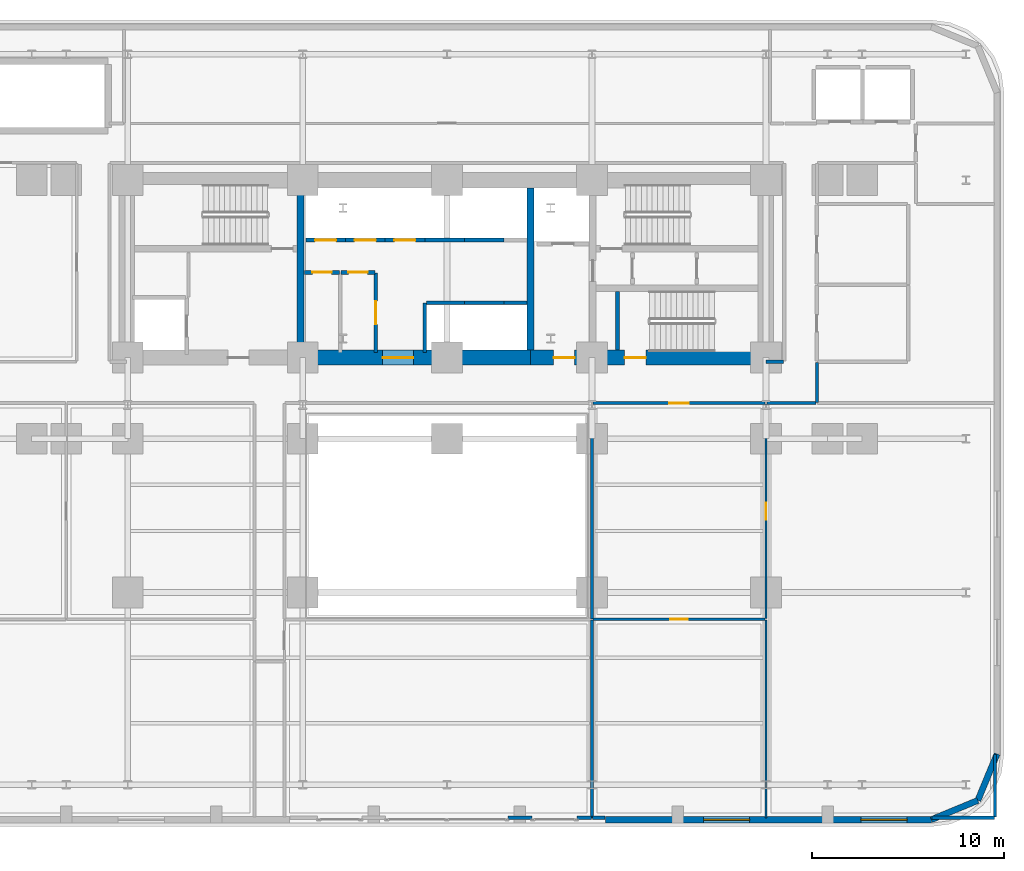
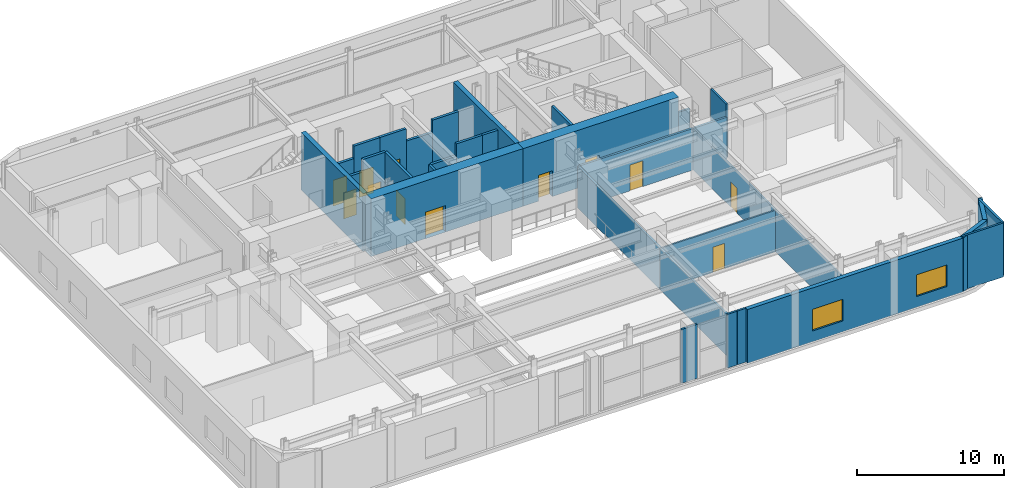
# One storey, part 7 of 15: 34 walls, 12 doors, 2 windows, 14 openings.
"""IFC4 building model written with IfcOpenShell, lengths in metres."""

import ifcopenshell
import ifcopenshell.guid

model = None  # the IFC model being written
_history = None  # IfcOwnerHistory: only IFC2X3 demands one
_inside = {}  # id of a spatial element -> (the spatial element, [elements in it])
_under = {}  # id of a project, library or spatial element -> (it, [spatial elements below it])
_declared = {}  # id of a project -> (the project, [libraries it declares])
_typed = {}  # id of a type object -> (the type object, [elements of that type])
_made_of = {}  # id of a material, layer set ... -> (it, [elements and type objects made of it])


def new_model(schema):
    """Start an empty IFC model of exactly this schema.

    Asked for "IFC4X3", IfcOpenShell would pick the latest addendum, in which some entities
    have other attributes; the version numbers below select the first issue.
    IFC2X3 requires an IfcOwnerHistory on every rooted entity: one is made here for all.
    """
    global model, _history
    if schema == "IFC4X3":
        model = ifcopenshell.file(schema_version=(4, 3, 0, 0))
    else:
        model = ifcopenshell.file(schema=schema)
    _inside.clear()
    _under.clear()
    _declared.clear()
    _typed.clear()
    _made_of.clear()
    _history = None
    if model.schema == "IFC2X3":
        org = make("IfcOrganization", Name="unknown")
        user = make(
            "IfcPersonAndOrganization",
            ThePerson=make("IfcPerson", FamilyName="unknown"),
            TheOrganization=org,
        )
        app = make(
            "IfcApplication",
            ApplicationDeveloper=org,
            Version="unknown",
            ApplicationFullName="unknown",
            ApplicationIdentifier="unknown",
        )
        _history = make(
            "IfcOwnerHistory",
            OwningUser=user,
            OwningApplication=app,
            ChangeAction="ADDED",
            CreationDate=0,
        )
    return model


def make(cls, **values):
    """One entity of the class cls with the attributes given. An attribute that is None is left unset."""
    return model.create_entity(
        cls, **{name: value for name, value in values.items() if value is not None}
    )


def rooted(cls, **values):
    """An entity with a GlobalId (a new one), such as an element, a storey or a relation."""
    return make(cls, GlobalId=ifcopenshell.guid.new(), OwnerHistory=_history, **values)


def si_unit(unit_type, name, prefix=None):
    """IfcSIUnit, for example si_unit("LENGTHUNIT", "METRE", prefix="MILLI")."""
    return make("IfcSIUnit", UnitType=unit_type, Prefix=prefix, Name=name)


def assignment(units):
    """IfcUnitAssignment: the units of a project."""
    return None if units is None else make("IfcUnitAssignment", Units=units)


def point(xyz):
    """IfcCartesianPoint."""
    return None if xyz is None else make("IfcCartesianPoint", Coordinates=xyz)


def direction(xyz):
    """IfcDirection."""
    return None if xyz is None else make("IfcDirection", DirectionRatios=xyz)


def frame(location, z_axis=None, x_axis=None):
    """IfcAxis2Placement3D, a coordinate frame: its origin and axes. An axis left out is left unset."""
    return make(
        "IfcAxis2Placement3D",
        Location=point(location),
        Axis=direction(z_axis),
        RefDirection=direction(x_axis),
    )


def frame_2d(location, x_axis=None):
    """IfcAxis2Placement2D, a coordinate frame in the plane: its origin and x axis."""
    return make(
        "IfcAxis2Placement2D", Location=point(location), RefDirection=direction(x_axis)
    )


def origin():
    """The frame at (0, 0, 0) with its axes left unset."""
    return frame((0.0, 0.0, 0.0))


def place(relative_to, where):
    """IfcLocalPlacement: puts the frame where relative to a parent placement (None: the world)."""
    return make(
        "IfcLocalPlacement", PlacementRelTo=relative_to, RelativePlacement=where
    )


def context(
    kind, dimensions, precision=None, world=None, true_north=None, identifier=None
):
    """IfcGeometricRepresentationContext, for example the 3D "Model" context."""
    return make(
        "IfcGeometricRepresentationContext",
        ContextIdentifier=identifier,
        ContextType=kind,
        CoordinateSpaceDimension=dimensions,
        Precision=precision,
        WorldCoordinateSystem=world,
        TrueNorth=true_north,
    )


def subcontext(parent, identifier, kind, view, scale=None):
    """IfcGeometricRepresentationSubContext, for example "Body" below "Model"."""
    return make(
        "IfcGeometricRepresentationSubContext",
        ContextIdentifier=identifier,
        ContextType=kind,
        ParentContext=parent,
        TargetScale=scale,
        TargetView=view,
    )


def project(units=None, contexts=None):
    """IfcProject with its units and contexts."""
    return rooted(
        "IfcProject",
        Name="project",
        RepresentationContexts=contexts,
        UnitsInContext=assignment(units),
    )


def spatial(cls, under=None, at=None, **own):
    """A site, building, storey or space (cls), placed at a placement, below another one or the project."""
    s = rooted(cls, ObjectPlacement=at, **own)
    if under is not None:
        _under.setdefault(under.id(), (under, []))[1].append(s)
    return s


def profile(cls, at=None, kind="AREA", **sizes):
    """A parametric profile (cls). Its sizes go by their IFC names, for example OverallWidth=200.0."""
    return make(cls, ProfileType=kind, Position=at, **sizes)


def rectangle(**sizes):
    """IfcRectangleProfileDef."""
    return profile("IfcRectangleProfileDef", **sizes)


def extrude(swept, where, along, depth):
    """IfcExtrudedAreaSolid: the profile swept, set in the frame where, extruded along a direction by depth."""
    return make(
        "IfcExtrudedAreaSolid",
        SweptArea=swept,
        Position=where,
        ExtrudedDirection=direction(along),
        Depth=depth,
    )


def shape(context_of_items, identifier, shape_type, items):
    """IfcShapeRepresentation: the items that make up one representation, for example the "Body"."""
    return make(
        "IfcShapeRepresentation",
        ContextOfItems=context_of_items,
        RepresentationIdentifier=identifier,
        RepresentationType=shape_type,
        Items=items,
    )


def material(Name=None, Category=None):
    """IfcMaterial."""
    return make("IfcMaterial", Name=Name, Category=Category)


def layer(
    of_material, thickness, ventilated=None, Name=None, Category=None, Priority=None
):
    """IfcMaterialLayer: one layer of a wall or slab, of a material (None: an air gap)."""
    return make(
        "IfcMaterialLayer",
        Material=of_material,
        LayerThickness=thickness,
        IsVentilated=ventilated,
        Name=Name,
        Category=Category,
        Priority=Priority,
    )


def layer_set(layers, Name=None):
    """IfcMaterialLayerSet."""
    return make("IfcMaterialLayerSet", MaterialLayers=layers, LayerSetName=Name)


def made_of(thing, what):
    """Note that an element or type object is made of a material, layer set ...; save() writes the relation."""
    if what is not None:
        _made_of.setdefault(what.id(), (what, []))[1].append(thing)
    return thing


def type_object(cls, material=None, **own):
    """A type object (cls), such as IfcWallType, which elements share."""
    return made_of(rooted(cls, **own), material)


def element(
    cls,
    number,
    at=None,
    inside=None,
    cuts=None,
    type_object=None,
    material=None,
    context=None,
    identifier="Body",
    shape_type=None,
    held_by="IfcProductDefinitionShape",
    body=None,
    shapes=None,
    **own,
):
    """One element of the class cls, such as IfcWall. Its Tag is "e" and its number.

    at: its placement. inside: the storey or other place that contains it. cuts: it is an
    opening in that element (IfcRelVoidsElement). A single representation is given by context,
    identifier, shape_type and body (its items); several are given by shapes. held_by: the class
    of the entity that holds the representations. save() writes the other relations.
    """
    e = rooted(cls, Tag="e%d" % number, ObjectPlacement=at, **own)
    if body is not None:
        shapes = [shape(context, identifier, shape_type, body)]
    if shapes is not None:
        e.Representation = make(held_by, Representations=shapes)
    if inside is not None:
        _inside.setdefault(inside.id(), (inside, []))[1].append(e)
    if cuts is not None:
        rooted(
            "IfcRelVoidsElement", RelatingBuildingElement=cuts, RelatedOpeningElement=e
        )
    if type_object is not None:
        _typed.setdefault(type_object.id(), (type_object, []))[1].append(e)
    return made_of(e, material)


def fill(opening, filler):
    """IfcRelFillsElement: the door or window that sits in an opening."""
    return rooted(
        "IfcRelFillsElement",
        RelatingOpeningElement=opening,
        RelatedBuildingElement=filler,
    )


def aggregate(whole, parts):
    """IfcRelAggregates: a whole, such as a stair, and the parts it consists of."""
    return rooted("IfcRelAggregates", RelatingObject=whole, RelatedObjects=parts)


def save(model, path):
    """Write the relations noted so far, then the file.

    IfcRelAggregates (storeys below a building ...), IfcRelContainedInSpatialStructure (elements
    in a storey), IfcRelDefinesByType, IfcRelAssociatesMaterial and IfcRelDeclares: one each for
    every whole, place, type object, material and project.
    """
    for whole, parts in _under.values():
        aggregate(whole, parts)
    for where, things in _inside.values():
        rooted(
            "IfcRelContainedInSpatialStructure",
            RelatedElements=things,
            RelatingStructure=where,
        )
    for kind, things in _typed.values():
        rooted("IfcRelDefinesByType", RelatedObjects=things, RelatingType=kind)
    for what, things in _made_of.values():
        rooted("IfcRelAssociatesMaterial", RelatedObjects=things, RelatingMaterial=what)
    for by, libraries in _declared.values():
        rooted("IfcRelDeclares", RelatingContext=by, RelatedDefinitions=libraries)
    model.write(path)


model = new_model("IFC4")

# Units and contexts
model_context = context("Model", 3, precision=1e-05, world=origin(), true_north=direction((0.0, 1.0)))
body_context = subcontext(model_context, "Body", "Model", "MODEL_VIEW")
ifc_project = project(units=[si_unit("LENGTHUNIT", "METRE"), si_unit("AREAUNIT", "SQUARE_METRE"), si_unit("VOLUMEUNIT", "CUBIC_METRE"), si_unit("PLANEANGLEUNIT", "RADIAN"), si_unit("MASSUNIT", "GRAM", prefix="KILO")], contexts=[model_context])

# Site, building, storey
site_placement = place(None, origin())
site = spatial("IfcSite", under=ifc_project, at=site_placement, CompositionType="ELEMENT")
building_placement = place(site_placement, origin())
building = spatial("IfcBuilding", under=site, at=building_placement, Name="Zarnavel Station Tower", CompositionType="ELEMENT")
storey_placement = place(building_placement, frame((0.0, 0.0, 24.199951171875)))
storey = spatial("IfcBuildingStorey", under=building, at=storey_placement, Name="L06", CompositionType="ELEMENT", Elevation=24.199951171875)

# Walls
ifc_material_1 = material(Name="Concrete C50/60", Category="concrete")
ifc_layer_1 = layer(ifc_material_1, 0.35009765625)
ifc_layer_set_1 = layer_set([ifc_layer_1], Name="CW_350")
wall_type_1 = type_object("IfcWallType", Name="CW_350", PredefinedType="SHEAR", material=ifc_layer_set_1)
for number, where, z_axis, x_axis, name in (
    (1, (21.179931640625, 28.219970703125, 0.0), (0.0, 0.0, 1.0), (0.0, 1.0, 0.0), "L06 Rear Core Shear Wall DIV-W"),
    (2, (33.14990234375, 28.219970703125, 0.0), (0.0, 0.0, 1.0), (0.0, 1.0, 0.0), "L06 Rear Core Shear Wall DIV-E"),
):
    element("IfcWall", number, at=place(storey_placement, frame(where, z_axis=z_axis, x_axis=x_axis)), inside=storey, type_object=wall_type_1, Name=name, PredefinedType="SHEAR", context=body_context, shape_type="SweptSolid", body=[
        extrude(rectangle(XDim=8.429931640625, YDim=0.35009765625, at=frame_2d((4.21484375, 0.0))), origin(), (0.0, 0.0, 1.0), 4.800048828125),
    ])

# Wall, opening, door
ifc_material_2 = material(Name="Concrete C60/75", Category="concrete")
ifc_layer_2 = layer(ifc_material_2, 0.800048828125)
ifc_layer_set_2 = layer_set([ifc_layer_2], Name="CW_800")
wall_type_2 = type_object("IfcWallType", Name="CW_800", PredefinedType="SHEAR", material=ifc_layer_set_2)
wall_1_placement = place(storey_placement, frame((33.14990234375, 27.820068359375, 0.0), z_axis=(0.0, 0.0, 1.0), x_axis=(-1.0, 0.0, 0.0)))
wall_1 = element("IfcWall", 3, at=wall_1_placement, inside=storey, type_object=wall_type_2, Name="L06 Rear Core Shear Wall S-M", PredefinedType="SHEAR", context=body_context, shape_type="SweptSolid", body=[
    extrude(rectangle(XDim=11.969970703125, YDim=0.800048828125, at=frame_2d((5.98486328125, 0.0))), origin(), (0.0, 0.0, 1.0), 4.800048828125),
])
opening_1_placement = place(wall_1_placement, frame((6.10009765625, 0.0, 0.0)))
opening_1 = element("IfcOpeningElement", 4, at=opening_1_placement, cuts=wall_1, Name="Opening ID03", PredefinedType="OPENING", context=body_context, shape_type="SweptSolid", body=[
    extrude(rectangle(XDim=1.60009765625, YDim=2.199951171875, at=frame_2d((0.800048828125, 1.10009765625))), frame((0.0, 0.409912109375, 0.0), z_axis=(0.0, -1.0, 0.0), x_axis=(1.0, 0.0, 0.0)), (0.0, 0.0, 1.0), 0.820068359375),
])
ifc_material_3 = material(Name="Painted Galvanised Steel and Hardwood Leaf", Category="steel")
door_type_1 = type_object("IfcDoorType", Name="ID_PUBLIC_1600", OperationType="DOUBLE_DOOR_SINGLE_SWING", PredefinedType="DOOR", material=ifc_material_3)
door_1_placement = place(opening_1_placement, origin())
door_1 = element("IfcDoor", 5, at=door_1_placement, inside=storey, type_object=door_type_1, Name="L06 Passenger Lift Lobby Double Door", OperationType="SINGLE_SWING_LEFT", OverallHeight=2.199951171875, OverallWidth=1.60009765625, PredefinedType="DOOR", context=body_context, shape_type="SweptSolid", body=[
    extrude(rectangle(XDim=1.60009765625, YDim=2.199951171875, at=frame_2d((0.800048828125, 1.10009765625))), frame((0.0, 0.02490234375, 0.0), z_axis=(0.0, -1.0, 0.0), x_axis=(1.0, 0.0, 0.0)), (0.0, 0.0, 1.0), 0.050048828125),
])
fill(opening_1, door_1)

# Wall, openings, doors
wall_2_placement = place(storey_placement, frame((45.3798828125, 27.820068359375, 0.0), z_axis=(0.0, 0.0, 1.0), x_axis=(-1.0, 0.0, 0.0)))
wall_2 = element("IfcWall", 6, at=wall_2_placement, inside=storey, type_object=wall_type_2, Name="L06 Rear Core Shear Wall S-E", PredefinedType="SHEAR", context=body_context, shape_type="SweptSolid", body=[
    extrude(rectangle(XDim=12.22998046875, YDim=0.800048828125, at=frame_2d((6.114990234375, 0.0))), origin(), (0.0, 0.0, 1.0), 4.800048828125),
])
opening_2_placement = place(wall_2_placement, frame((9.929931640625, 0.0, 0.0)))
opening_2 = element("IfcOpeningElement", 7, at=opening_2_placement, cuts=wall_2, Name="Opening FD01", PredefinedType="OPENING", context=body_context, shape_type="SweptSolid", body=[
    extrude(rectangle(XDim=1.10009765625, YDim=2.14990234375, at=frame_2d((0.550048828125, 1.074951171875))), frame((0.0, 0.409912109375, 0.0), z_axis=(0.0, -1.0, 0.0), x_axis=(1.0, 0.0, 0.0)), (0.0, 0.0, 1.0), 0.820068359375),
])
opening_3_placement = place(wall_2_placement, frame((6.22998046875, 0.0, 0.0)))
opening_3 = element("IfcOpeningElement", 8, at=opening_3_placement, cuts=wall_2, Name="Opening FD01", PredefinedType="OPENING", context=body_context, shape_type="SweptSolid", body=[
    extrude(rectangle(XDim=1.10009765625, YDim=2.14990234375, at=frame_2d((0.550048828125, 1.074951171875))), frame((0.0, 0.409912109375, 0.0), z_axis=(0.0, -1.0, 0.0), x_axis=(1.0, 0.0, 0.0)), (0.0, 0.0, 1.0), 0.820068359375),
])
ifc_material_4 = material(Name="Painted Galvanised Steel and Hardwood Leaf", Category="steel")
door_type_2 = type_object("IfcDoorType", Name="ID_STAIR_1100", OperationType="NOTDEFINED", PredefinedType="DOOR", material=ifc_material_4)
door_2_placement = place(opening_2_placement, origin())
door_2 = element("IfcDoor", 9, at=door_2_placement, inside=storey, type_object=door_type_2, Name="L06 East Firefighting Lobby Door", OperationType="SINGLE_SWING_LEFT", OverallHeight=2.14990234375, OverallWidth=1.10009765625, PredefinedType="DOOR", context=body_context, shape_type="SweptSolid", body=[
    extrude(rectangle(XDim=1.10009765625, YDim=2.14990234375, at=frame_2d((0.550048828125, 1.074951171875))), frame((0.0, 0.02490234375, 0.0), z_axis=(0.0, -1.0, 0.0), x_axis=(1.0, 0.0, 0.0)), (0.0, 0.0, 1.0), 0.050048828125),
])
fill(opening_2, door_2)
door_3_placement = place(opening_3_placement, origin())
door_3 = element("IfcDoor", 10, at=door_3_placement, inside=storey, type_object=door_type_2, Name="L06 Stair ST3 Corridor Fire Door", OperationType="SINGLE_SWING_RIGHT", OverallHeight=2.14990234375, OverallWidth=1.10009765625, PredefinedType="DOOR", context=body_context, shape_type="SweptSolid", body=[
    extrude(rectangle(XDim=1.10009765625, YDim=2.14990234375, at=frame_2d((0.550048828125, 1.074951171875))), frame((0.0, 0.02490234375, 0.0), z_axis=(0.0, -1.0, 0.0), x_axis=(1.0, 0.0, 0.0)), (0.0, 0.0, 1.0), 0.050048828125),
])
fill(opening_3, door_3)

# Walls
ifc_material_5 = material(Name="Precast concrete C45/55 (Podium Basalt Frame)", Category="masonry")
ifc_layer_3 = layer(ifc_material_5, 0.320068359375)
ifc_layer_set_3 = layer_set([ifc_layer_3], Name="EW_BASALT_320")
wall_type_3 = type_object("IfcWallType", Name="EW_BASALT_320", PredefinedType="SOLIDWALL", material=ifc_layer_set_3)
for number, where, z_axis, x_axis, name in (
    (11, (56.418212890625, 4.78173828125, 0.0), (0.0, 0.0, 1.0), (-0.923872453333, -0.382700522567, 0.0), "L06 Exterior Basalt Masonry Frame Wall 01"),
    (12, (57.419921875, 7.199951171875, 0.0), (0.0, 0.0, 1.0), (-0.382700522567, -0.923872453333, 0.0), "L06 Exterior Basalt Masonry Frame Wall 02"),
):
    element("IfcWall", number, at=place(storey_placement, frame(where, z_axis=z_axis, x_axis=x_axis)), inside=storey, type_object=wall_type_3, Name=name, PredefinedType="SOLIDWALL", context=body_context, shape_type="SweptSolid", body=[
        extrude(rectangle(XDim=2.617431640625, YDim=0.320068359375, at=frame_2d((1.30859375, 0.0))), origin(), (0.0, 0.0, 1.0), 4.47998046875),
    ])

# Wall, openings, windows
wall_3_placement = place(storey_placement, frame((54.0, 3.780029296875, 0.0), z_axis=(0.0, 0.0, 1.0), x_axis=(-1.0, 0.0, 0.0)))
wall_3 = element("IfcWall", 13, at=wall_3_placement, inside=storey, type_object=wall_type_3, Name="L06 South East Masonry Facade Wall", PredefinedType="SOLIDWALL", context=body_context, shape_type="SweptSolid", body=[
    extrude(rectangle(XDim=16.949951171875, YDim=0.320068359375, at=frame_2d((8.47509765625, 0.0))), origin(), (0.0, 0.0, 1.0), 4.47998046875),
])
opening_4_placement = place(wall_3_placement, frame((9.451904296875, 0.0, 0.89990234375)))
opening_4 = element("IfcOpeningElement", 14, at=opening_4_placement, cuts=wall_3, Name="Opening WN03", PredefinedType="OPENING", context=body_context, shape_type="SweptSolid", body=[
    extrude(rectangle(XDim=2.39990234375, YDim=1.800048828125, at=frame_2d((1.199951171875, 0.89990234375))), frame((0.0, 0.169921875, 0.0), z_axis=(0.0, -1.0, 0.0), x_axis=(1.0, 0.0, 0.0)), (0.0, 0.0, 1.0), 0.340087890625),
])
opening_5_placement = place(wall_3_placement, frame((1.261962890625, 0.0, 0.89990234375)))
opening_5 = element("IfcOpeningElement", 15, at=opening_5_placement, cuts=wall_3, Name="Opening WN03", PredefinedType="OPENING", context=body_context, shape_type="SweptSolid", body=[
    extrude(rectangle(XDim=2.39990234375, YDim=1.800048828125, at=frame_2d((1.199951171875, 0.89990234375))), frame((0.0, 0.169921875, 0.0), z_axis=(0.0, -1.0, 0.0), x_axis=(1.0, 0.0, 0.0)), (0.0, 0.0, 1.0), 0.340087890625),
])
ifc_material_6 = material(Name="Thermally Broken Black Aluminium and Low-E Dark Glass", Category="aluminium")
window_type = type_object("IfcWindowType", Name="WN_2400x1800", PartitioningType="TRIPLE_PANEL_VERTICAL", PredefinedType="WINDOW", material=ifc_material_6)
window_1_placement = place(opening_4_placement, origin())
window_1 = element("IfcWindow", 16, at=window_1_placement, inside=storey, type_object=window_type, Name="L06 Recessed Facade Window 01", OverallHeight=1.800048828125, OverallWidth=2.39990234375, PartitioningType="SINGLE_PANEL", PredefinedType="WINDOW", context=body_context, shape_type="SweptSolid", body=[
    extrude(rectangle(XDim=2.39990234375, YDim=1.800048828125, at=frame_2d((1.199951171875, 0.89990234375))), frame((0.0, 0.030029296875, 0.0), z_axis=(0.0, -1.0, 0.0), x_axis=(1.0, 0.0, 0.0)), (0.0, 0.0, 1.0), 0.06005859375),
])
fill(opening_4, window_1)
window_2_placement = place(opening_5_placement, origin())
window_2 = element("IfcWindow", 17, at=window_2_placement, inside=storey, type_object=window_type, Name="L06 Recessed Facade Window 02", OverallHeight=1.800048828125, OverallWidth=2.39990234375, PartitioningType="SINGLE_PANEL", PredefinedType="WINDOW", context=body_context, shape_type="SweptSolid", body=[
    extrude(rectangle(XDim=2.39990234375, YDim=1.800048828125, at=frame_2d((1.199951171875, 0.89990234375))), frame((0.0, 0.030029296875, 0.0), z_axis=(0.0, -1.0, 0.0), x_axis=(1.0, 0.0, 0.0)), (0.0, 0.0, 1.0), 0.06005859375),
])
fill(opening_5, window_2)

# Wall, opening, door
ifc_material_7 = material(Name="Gypsum Twin-Stud Acoustic Fire Partition", Category="concrete")
ifc_layer_4 = layer(ifc_material_7, 0.159912109375)
ifc_layer_set_4 = layer_set([ifc_layer_4], Name="PT_DEMISE_160")
wall_type_4 = type_object("IfcWallType", Name="PT_DEMISE_160", PredefinedType="PARTITIONING", material=ifc_layer_set_4)
wall_4_placement = place(storey_placement, frame((36.389892578125, 25.449951171875, 0.0), z_axis=(0.0, 0.0, 1.0), x_axis=(1.0, 0.0, 0.0)))
wall_4 = element("IfcWall", 18, at=wall_4_placement, inside=storey, type_object=wall_type_4, Name="L06 Partition PCOR-S-BOFF", PredefinedType="PARTITIONING", context=body_context, shape_type="SweptSolid", body=[
    extrude(rectangle(XDim=8.97021484375, YDim=0.159912109375, at=frame_2d((4.485107421875, 0.0))), origin(), (0.0, 0.0, 1.0), 3.4521484375),
])
opening_6_placement = place(wall_4_placement, frame((3.985107421875, 0.0, 0.0)))
opening_6 = element("IfcOpeningElement", 19, at=opening_6_placement, cuts=wall_4, Name="Opening FD02", PredefinedType="OPENING", context=body_context, shape_type="SweptSolid", body=[
    extrude(rectangle(XDim=1.0, YDim=2.14990234375, at=frame_2d((0.5, 1.074951171875))), frame((0.0, 0.08984375, 0.0), z_axis=(0.0, -1.0, 0.0), x_axis=(1.0, 0.0, 0.0)), (0.0, 0.0, 1.0), 0.179931640625),
])
ifc_material_8 = material(Name="Painted Galvanised Steel and Hardwood Leaf", Category="steel")
door_type_3 = type_object("IfcDoorType", Name="ID_ENTRY_1000", OperationType="NOTDEFINED", PredefinedType="DOOR", material=ifc_material_8)
door_4_placement = place(opening_6_placement, origin())
door_4 = element("IfcDoor", 20, at=door_4_placement, inside=storey, type_object=door_type_3, Name="L06 Door PCOR-S-BOFF", OperationType="SINGLE_SWING_LEFT", OverallHeight=2.14990234375, OverallWidth=1.0, PredefinedType="DOOR", context=body_context, shape_type="SweptSolid", body=[
    extrude(rectangle(XDim=1.0, YDim=2.14990234375, at=frame_2d((0.5, 1.074951171875))), frame((0.0, 0.02490234375, 0.0), z_axis=(0.0, -1.0, 0.0), x_axis=(1.0, 0.0, 0.0)), (0.0, 0.0, 1.0), 0.050048828125),
])
fill(opening_6, door_4)

# Walls
wall_5_placement = place(storey_placement, frame((45.43994140625, 25.449951171875, 0.0), z_axis=(0.0, 0.0, 1.0), x_axis=(1.0, 0.0, 0.0)))
element("IfcWall", 21, at=wall_5_placement, inside=storey, type_object=wall_type_4, Name="L06 Partition PCOR-S-BOFE", PredefinedType="PARTITIONING", context=body_context, shape_type="SweptSolid", body=[
    extrude(rectangle(XDim=2.570068359375, YDim=0.159912109375, at=frame_2d((1.28515625, 0.0))), origin(), (0.0, 0.0, 1.0), 3.4521484375),
])
wall_6_placement = place(storey_placement, frame((36.35009765625, 3.8798828125, 0.0), z_axis=(0.0, 0.0, 1.0), x_axis=(0.0, 1.0, 0.0)))
element("IfcWall", 22, at=wall_6_placement, inside=storey, type_object=wall_type_4, Name="L06 Partition LOUN-GYM", PredefinedType="PARTITIONING", context=body_context, shape_type="SweptSolid", body=[
    extrude(rectangle(XDim=10.280029296875, YDim=0.159912109375, at=frame_2d((5.14013671875, 0.0))), origin(), (0.0, 0.0, 1.0), 3.4521484375),
])
wall_7_placement = place(storey_placement, frame((45.409912109375, 27.60009765625, 0.0), z_axis=(0.0, 0.0, 1.0), x_axis=(1.0, 0.0, 0.0)))
element("IfcWall", 23, at=wall_7_placement, inside=storey, type_object=wall_type_4, Name="L06 Enclosure Wall PCOR-S", PredefinedType="PARTITIONING", context=body_context, shape_type="SweptSolid", body=[
    extrude(rectangle(XDim=0.91015625, YDim=0.159912109375, at=frame_2d((0.455078125, 0.0))), origin(), (0.0, 0.0, 1.0), 3.4521484375),
])
wall_8_placement = place(storey_placement, frame((48.050048828125, 25.47998046875, 0.0), z_axis=(0.0, 0.0, 1.0), x_axis=(0.0, 1.0, 0.0)))
element("IfcWall", 24, at=wall_8_placement, inside=storey, type_object=wall_type_4, Name="L06 Enclosure Wall PCOR-S", PredefinedType="PARTITIONING", context=body_context, shape_type="SweptSolid", body=[
    extrude(rectangle(XDim=2.090087890625, YDim=0.159912109375, at=frame_2d((1.044921875, 0.0))), origin(), (0.0, 0.0, 1.0), 4.47998046875),
])
wall_9_placement = place(storey_placement, frame((31.986083984375, 3.8798828125, 0.0), z_axis=(0.0, 0.0, 1.0), x_axis=(1.0, 0.0, 0.0)))
element("IfcWall", 25, at=wall_9_placement, inside=storey, type_object=wall_type_4, Name="L06 Enclosure Wall LOUN", PredefinedType="PARTITIONING", context=body_context, shape_type="SweptSolid", body=[
    extrude(rectangle(XDim=1.22802734375, YDim=0.159912109375, at=frame_2d((0.614013671875, 0.0))), origin(), (0.0, 0.0, 1.0), 4.47998046875),
])
wall_10_placement = place(storey_placement, frame((35.580078125, 3.8798828125, 0.0), z_axis=(0.0, 0.0, 1.0), x_axis=(1.0, 0.0, 0.0)))
element("IfcWall", 26, at=wall_10_placement, inside=storey, type_object=wall_type_4, Name="L06 Enclosure Wall LOUN", PredefinedType="PARTITIONING", context=body_context, shape_type="SweptSolid", body=[
    extrude(rectangle(XDim=0.739990234375, YDim=0.159912109375, at=frame_2d((0.3701171875, 0.0))), origin(), (0.0, 0.0, 1.0), 4.47998046875),
])
wall_11_placement = place(storey_placement, frame((36.3798828125, 3.8798828125, 0.0), z_axis=(0.0, 0.0, 1.0), x_axis=(1.0, 0.0, 0.0)))
element("IfcWall", 27, at=wall_11_placement, inside=storey, type_object=wall_type_4, Name="L06 Enclosure Wall GYM", PredefinedType="PARTITIONING", context=body_context, shape_type="SweptSolid", body=[
    extrude(rectangle(XDim=0.64013671875, YDim=0.159912109375, at=frame_2d((0.320068359375, 0.0))), origin(), (0.0, 0.0, 1.0), 4.47998046875),
])
wall_12_placement = place(storey_placement, frame((36.35009765625, 14.22998046875, 0.0), z_axis=(0.0, 0.0, 1.0), x_axis=(0.0, 1.0, 0.0)))
element("IfcWall", 28, at=wall_12_placement, inside=storey, type_object=wall_type_4, Name="L06 Enclosure Wall BOFF", PredefinedType="PARTITIONING", context=body_context, shape_type="SweptSolid", body=[
    extrude(rectangle(XDim=11.18994140625, YDim=0.159912109375, at=frame_2d((5.594970703125, 0.0))), origin(), (0.0, 0.0, 1.0), 3.4521484375),
])
for number, where, z_axis, x_axis, name in (
    (29, (54.030029296875, 3.8798828125, 0.0), (0.0, 0.0, 1.0), (1.0, 0.0, 0.0), "L06 Enclosure Wall BOFE"),
    (30, (57.320068359375, 3.909912109375, 0.0), (0.0, 0.0, 1.0), (0.0, 1.0, 0.0), "L06 Enclosure Wall BOFE"),
):
    element("IfcWall", number, at=place(storey_placement, frame(where, z_axis=z_axis, x_axis=x_axis)), inside=storey, type_object=wall_type_4, Name=name, PredefinedType="PARTITIONING", context=body_context, shape_type="SweptSolid", body=[
        extrude(rectangle(XDim=3.260009765625, YDim=0.159912109375, at=frame_2d((1.6298828125, 0.0))), origin(), (0.0, 0.0, 1.0), 4.47998046875),
    ])

# Wall, opening, door
ifc_material_9 = material(Name="Gypsum Metal-Stud Interior Partition", Category="concrete")
ifc_layer_5 = layer(ifc_material_9, 0.1201171875)
ifc_layer_set_5 = layer_set([ifc_layer_5], Name="PT_ROOM_120")
wall_type_5 = type_object("IfcWallType", Name="PT_ROOM_120", PredefinedType="PARTITIONING", material=ifc_layer_set_5)
wall_13_placement = place(storey_placement, frame((36.389892578125, 14.199951171875, 0.0), z_axis=(0.0, 0.0, 1.0), x_axis=(1.0, 0.0, 0.0)))
wall_13 = element("IfcWall", 31, at=wall_13_placement, inside=storey, type_object=wall_type_5, Name="L06 Partition GYM-BOFF", PredefinedType="PARTITIONING", context=body_context, shape_type="SweptSolid", body=[
    extrude(rectangle(XDim=8.97021484375, YDim=0.1201171875, at=frame_2d((4.485107421875, 0.0))), origin(), (0.0, 0.0, 1.0), 3.4521484375),
])
opening_7_placement = place(wall_13_placement, frame((4.034912109375, 0.0, 0.0)))
opening_7 = element("IfcOpeningElement", 32, at=opening_7_placement, cuts=wall_13, Name="Opening ID01", PredefinedType="OPENING", context=body_context, shape_type="SweptSolid", body=[
    extrude(rectangle(XDim=0.89990234375, YDim=2.10009765625, at=frame_2d((0.449951171875, 1.050048828125))), frame((0.0, 0.070068359375, 0.0), z_axis=(0.0, -1.0, 0.0), x_axis=(1.0, 0.0, 0.0)), (0.0, 0.0, 1.0), 0.14013671875),
])
ifc_material_10 = material(Name="Painted Galvanised Steel and Hardwood Leaf", Category="steel")
door_type_4 = type_object("IfcDoorType", Name="ID_ROOM_900", OperationType="NOTDEFINED", PredefinedType="DOOR", material=ifc_material_10)
door_5_placement = place(opening_7_placement, origin())
door_5 = element("IfcDoor", 33, at=door_5_placement, inside=storey, type_object=door_type_4, Name="L06 Door GYM-BOFF", OperationType="SINGLE_SWING_LEFT", OverallHeight=2.10009765625, OverallWidth=0.89990234375, PredefinedType="DOOR", context=body_context, shape_type="SweptSolid", body=[
    extrude(rectangle(XDim=0.89990234375, YDim=2.10009765625, at=frame_2d((0.449951171875, 1.050048828125))), frame((0.0, 0.02490234375, 0.0), z_axis=(0.0, -1.0, 0.0), x_axis=(1.0, 0.0, 0.0)), (0.0, 0.0, 1.0), 0.050048828125),
])
fill(opening_7, door_5)

# Wall
wall_14_placement = place(storey_placement, frame((45.39990234375, 3.8798828125, 0.0), z_axis=(0.0, 0.0, 1.0), x_axis=(0.0, 1.0, 0.0)))
element("IfcWall", 34, at=wall_14_placement, inside=storey, type_object=wall_type_5, Name="L06 Partition GYM-BOFE", PredefinedType="PARTITIONING", context=body_context, shape_type="SweptSolid", body=[
    extrude(rectangle(XDim=10.280029296875, YDim=0.1201171875, at=frame_2d((5.14013671875, 0.0))), origin(), (0.0, 0.0, 1.0), 3.4521484375),
])

# Wall, opening, door
wall_15_placement = place(storey_placement, frame((45.39990234375, 14.239990234375, 0.0), z_axis=(0.0, 0.0, 1.0), x_axis=(0.0, 1.0, 0.0)))
wall_15 = element("IfcWall", 35, at=wall_15_placement, inside=storey, type_object=wall_type_5, Name="L06 Partition BOFF-BOFE", PredefinedType="PARTITIONING", context=body_context, shape_type="SweptSolid", body=[
    extrude(rectangle(XDim=11.169921875, YDim=0.1201171875, at=frame_2d((5.5849609375, 0.0))), origin(), (0.0, 0.0, 1.0), 3.4521484375),
])
opening_8_placement = place(wall_15_placement, frame((5.135009765625, 0.0, 0.0)))
opening_8 = element("IfcOpeningElement", 36, at=opening_8_placement, cuts=wall_15, Name="Opening ID01", PredefinedType="OPENING", context=body_context, shape_type="SweptSolid", body=[
    extrude(rectangle(XDim=0.89990234375, YDim=2.10009765625, at=frame_2d((0.449951171875, 1.050048828125))), frame((0.0, 0.070068359375, 0.0), z_axis=(0.0, -1.0, 0.0), x_axis=(1.0, 0.0, 0.0)), (0.0, 0.0, 1.0), 0.14013671875),
])
door_6_placement = place(opening_8_placement, origin())
door_6 = element("IfcDoor", 37, at=door_6_placement, inside=storey, type_object=door_type_4, Name="L06 Door BOFF-BOFE", OperationType="SINGLE_SWING_RIGHT", OverallHeight=2.10009765625, OverallWidth=0.89990234375, PredefinedType="DOOR", context=body_context, shape_type="SweptSolid", body=[
    extrude(rectangle(XDim=0.89990234375, YDim=2.10009765625, at=frame_2d((0.449951171875, 1.050048828125))), frame((0.0, 0.02490234375, 0.0), z_axis=(0.0, -1.0, 0.0), x_axis=(1.0, 0.0, 0.0)), (0.0, 0.0, 1.0), 0.050048828125),
])
fill(opening_8, door_6)

# Walls
ifc_material_11 = material(Name="Precast concrete C45/55 (Fire Shaft Blockwork)", Category="masonry")
ifc_layer_6 = layer(ifc_material_11, 0.199951171875)
ifc_layer_set_6 = layer_set([ifc_layer_6], Name="PT_SHAFT_200")
wall_type_6 = type_object("IfcWallType", Name="PT_SHAFT_200", PredefinedType="PARTITIONING", material=ifc_layer_set_6)
wall_16_placement = place(storey_placement, frame((27.75, 30.669921875, 0.0), z_axis=(0.0, 0.0, 1.0), x_axis=(1.0, 0.0, 0.0)))
element("IfcWall", 38, at=wall_16_placement, inside=storey, type_object=wall_type_6, Name="L06 Lift PL-H1 Shaft Front Wall", PredefinedType="PARTITIONING", context=body_context, shape_type="SweptSolid", body=[
    extrude(rectangle(XDim=1.97509765625, YDim=0.199951171875, at=frame_2d((0.987548828125, 0.0))), origin(), (0.0, 0.0, 1.0), 3.4521484375),
])
wall_17_placement = place(storey_placement, frame((27.64990234375, 28.070068359375, 0.0), z_axis=(0.0, 0.0, 1.0), x_axis=(0.0, 1.0, 0.0)))
element("IfcWall", 39, at=wall_17_placement, inside=storey, type_object=wall_type_6, Name="L06 High-Rise Lift Bank West Shaft Wall", PredefinedType="PARTITIONING", context=body_context, shape_type="SweptSolid", body=[
    extrude(rectangle(XDim=2.579833984375, YDim=0.199951171875, at=frame_2d((1.2900390625, 0.0))), origin(), (0.0, 0.0, 1.0), 3.4521484375),
])
wall_18_placement = place(storey_placement, frame((29.72509765625, 30.669921875, 0.0), z_axis=(0.0, 0.0, 1.0), x_axis=(1.0, 0.0, 0.0)))
element("IfcWall", 40, at=wall_18_placement, inside=storey, type_object=wall_type_6, Name="L06 Lift PL-H2 Shaft Front Wall", PredefinedType="PARTITIONING", context=body_context, shape_type="SweptSolid", body=[
    extrude(rectangle(XDim=2.0498046875, YDim=0.199951171875, at=frame_2d((1.02490234375, 0.0))), origin(), (0.0, 0.0, 1.0), 4.47998046875),
])
wall_19_placement = place(storey_placement, frame((31.77490234375, 30.669921875, 0.0), z_axis=(0.0, 0.0, 1.0), x_axis=(1.0, 0.0, 0.0)))
element("IfcWall", 41, at=wall_19_placement, inside=storey, type_object=wall_type_6, Name="L06 Lift PL-H3 Shaft Front Wall", PredefinedType="PARTITIONING", context=body_context, shape_type="SweptSolid", body=[
    extrude(rectangle(XDim=1.2001953125, YDim=0.199951171875, at=frame_2d((0.60009765625, 0.0))), origin(), (0.0, 0.0, 1.0), 4.47998046875),
])

# Wall, opening, door
wall_20_placement = place(storey_placement, frame((21.4599609375, 33.929931640625, 0.0), z_axis=(0.0, 0.0, 1.0), x_axis=(1.0, 0.0, 0.0)))
wall_20 = element("IfcWall", 42, at=wall_20_placement, inside=storey, type_object=wall_type_6, Name="L06 Lift PL-L1 Shaft Front Wall", PredefinedType="PARTITIONING", context=body_context, shape_type="SweptSolid", body=[
    extrude(rectangle(XDim=2.06494140625, YDim=0.199951171875, at=frame_2d((1.032470703125, 0.0))), origin(), (0.0, 0.0, 1.0), 3.4521484375),
])
opening_9_placement = place(wall_20_placement, frame((0.482421875, 0.0, 0.0)))
opening_9 = element("IfcOpeningElement", 43, at=opening_9_placement, cuts=wall_20, Name="Opening LD02", PredefinedType="OPENING", context=body_context, shape_type="SweptSolid", body=[
    extrude(rectangle(XDim=1.10009765625, YDim=2.14990234375, at=frame_2d((0.550048828125, 1.074951171875))), frame((0.0, 0.10986328125, 0.0), z_axis=(0.0, -1.0, 0.0), x_axis=(1.0, 0.0, 0.0)), (0.0, 0.0, 1.0), 0.219970703125),
])
ifc_material_12 = material(Name="Painted Galvanised Steel and Hardwood Leaf", Category="steel")
door_type_5 = type_object("IfcDoorType", Name="LD_PAX_1100", OperationType="DOUBLE_DOOR_SLIDING", PredefinedType="DOOR", material=ifc_material_12)
door_7_placement = place(opening_9_placement, origin())
door_7 = element("IfcDoor", 44, at=door_7_placement, inside=storey, type_object=door_type_5, Name="L06 Lift PL-L1 Sliding Landing Door", OperationType="DOUBLE_DOOR_SLIDING", OverallHeight=2.14990234375, OverallWidth=1.10009765625, PredefinedType="DOOR", context=body_context, shape_type="SweptSolid", body=[
    extrude(rectangle(XDim=1.10009765625, YDim=2.14990234375, at=frame_2d((0.550048828125, 1.074951171875))), frame((0.0, 0.02490234375, 0.0), z_axis=(0.0, -1.0, 0.0), x_axis=(1.0, 0.0, 0.0)), (0.0, 0.0, 1.0), 0.050048828125),
])
fill(opening_9, door_7)

wall_21_placement = place(storey_placement, frame((23.52490234375, 33.929931640625, 0.0), z_axis=(0.0, 0.0, 1.0), x_axis=(1.0, 0.0, 0.0)))
wall_21 = element("IfcWall", 45, at=wall_21_placement, inside=storey, type_object=wall_type_6, Name="L06 Lift PL-L2 Shaft Front Wall", PredefinedType="PARTITIONING", context=body_context, shape_type="SweptSolid", body=[
    extrude(rectangle(XDim=2.050048828125, YDim=0.199951171875, at=frame_2d((1.02490234375, 0.0))), origin(), (0.0, 0.0, 1.0), 4.47998046875),
])
opening_10_placement = place(wall_21_placement, frame((0.47509765625, 0.0, 0.0)))
opening_10 = element("IfcOpeningElement", 46, at=opening_10_placement, cuts=wall_21, Name="Opening LD02", PredefinedType="OPENING", context=body_context, shape_type="SweptSolid", body=[
    extrude(rectangle(XDim=1.10009765625, YDim=2.14990234375, at=frame_2d((0.550048828125, 1.074951171875))), frame((0.0, 0.10986328125, 0.0), z_axis=(0.0, -1.0, 0.0), x_axis=(1.0, 0.0, 0.0)), (0.0, 0.0, 1.0), 0.219970703125),
])
door_8_placement = place(opening_10_placement, origin())
door_8 = element("IfcDoor", 47, at=door_8_placement, inside=storey, type_object=door_type_5, Name="L06 Lift PL-L2 Sliding Landing Door", OperationType="DOUBLE_DOOR_SLIDING", OverallHeight=2.14990234375, OverallWidth=1.10009765625, PredefinedType="DOOR", context=body_context, shape_type="SweptSolid", body=[
    extrude(rectangle(XDim=1.10009765625, YDim=2.14990234375, at=frame_2d((0.550048828125, 1.074951171875))), frame((0.0, 0.02490234375, 0.0), z_axis=(0.0, -1.0, 0.0), x_axis=(1.0, 0.0, 0.0)), (0.0, 0.0, 1.0), 0.050048828125),
])
fill(opening_10, door_8)

wall_22_placement = place(storey_placement, frame((25.574951171875, 33.929931640625, 0.0), z_axis=(0.0, 0.0, 1.0), x_axis=(1.0, 0.0, 0.0)))
wall_22 = element("IfcWall", 48, at=wall_22_placement, inside=storey, type_object=wall_type_6, Name="L06 Lift PL-L3 Shaft Front Wall", PredefinedType="PARTITIONING", context=body_context, shape_type="SweptSolid", body=[
    extrude(rectangle(XDim=2.074951171875, YDim=0.199951171875, at=frame_2d((1.03759765625, 0.0))), origin(), (0.0, 0.0, 1.0), 4.47998046875),
])
opening_11_placement = place(wall_22_placement, frame((0.487548828125, 0.0, 0.0)))
opening_11 = element("IfcOpeningElement", 49, at=opening_11_placement, cuts=wall_22, Name="Opening LD02", PredefinedType="OPENING", context=body_context, shape_type="SweptSolid", body=[
    extrude(rectangle(XDim=1.10009765625, YDim=2.14990234375, at=frame_2d((0.550048828125, 1.074951171875))), frame((0.0, 0.10986328125, 0.0), z_axis=(0.0, -1.0, 0.0), x_axis=(1.0, 0.0, 0.0)), (0.0, 0.0, 1.0), 0.219970703125),
])
door_9_placement = place(opening_11_placement, origin())
door_9 = element("IfcDoor", 50, at=door_9_placement, inside=storey, type_object=door_type_5, Name="L06 Lift PL-L3 Sliding Landing Door", OperationType="DOUBLE_DOOR_SLIDING", OverallHeight=2.14990234375, OverallWidth=1.10009765625, PredefinedType="DOOR", context=body_context, shape_type="SweptSolid", body=[
    extrude(rectangle(XDim=1.10009765625, YDim=2.14990234375, at=frame_2d((0.550048828125, 1.074951171875))), frame((0.0, 0.02490234375, 0.0), z_axis=(0.0, -1.0, 0.0), x_axis=(1.0, 0.0, 0.0)), (0.0, 0.0, 1.0), 0.050048828125),
])
fill(opening_11, door_9)

# Walls
wall_23_placement = place(storey_placement, frame((27.64990234375, 33.929931640625, 0.0), z_axis=(0.0, 0.0, 1.0), x_axis=(1.0, 0.0, 0.0)))
element("IfcWall", 51, at=wall_23_placement, inside=storey, type_object=wall_type_6, Name="L06 Lift PL-M1 Shaft Front Wall", PredefinedType="PARTITIONING", context=body_context, shape_type="SweptSolid", body=[
    extrude(rectangle(XDim=2.0751953125, YDim=0.199951171875, at=frame_2d((1.03759765625, 0.0))), origin(), (0.0, 0.0, 1.0), 3.4521484375),
])
wall_24_placement = place(storey_placement, frame((29.72509765625, 33.929931640625, 0.0), z_axis=(0.0, 0.0, 1.0), x_axis=(1.0, 0.0, 0.0)))
element("IfcWall", 52, at=wall_24_placement, inside=storey, type_object=wall_type_6, Name="L06 Lift PL-M2 Shaft Front Wall", PredefinedType="PARTITIONING", context=body_context, shape_type="SweptSolid", body=[
    extrude(rectangle(XDim=2.0498046875, YDim=0.199951171875, at=frame_2d((1.02490234375, 0.0))), origin(), (0.0, 0.0, 1.0), 4.47998046875),
])
wall_25_placement = place(storey_placement, frame((37.679931640625, 28.219970703125, 0.0), z_axis=(0.0, 0.0, 1.0), x_axis=(0.0, 1.0, 0.0)))
element("IfcWall", 53, at=wall_25_placement, inside=storey, type_object=wall_type_6, Name="L06 Stair ST3 West Shaft Wall", PredefinedType="PARTITIONING", context=body_context, shape_type="SweptSolid", body=[
    extrude(rectangle(XDim=3.030029296875, YDim=0.199951171875, at=frame_2d((1.51513671875, 0.0))), origin(), (0.0, 0.0, 1.0), 4.47998046875),
])

# Wall, opening, door
wall_26_placement = place(storey_placement, frame((21.39990234375, 32.25, 0.0), z_axis=(0.0, 0.0, 1.0), x_axis=(1.0, 0.0, 0.0)))
wall_26 = element("IfcWall", 54, at=wall_26_placement, inside=storey, type_object=wall_type_6, Name="L06 Partition LLOB-CS1", PredefinedType="PARTITIONING", context=body_context, shape_type="SweptSolid", body=[
    extrude(rectangle(XDim=1.81005859375, YDim=0.199951171875, at=frame_2d((0.905029296875, 0.0))), origin(), (0.0, 0.0, 1.0), 3.4521484375),
])
opening_12_placement = place(wall_26_placement, frame((0.405029296875, 0.0, 0.0)))
opening_12 = element("IfcOpeningElement", 55, at=opening_12_placement, cuts=wall_26, Name="Opening FD02", PredefinedType="OPENING", context=body_context, shape_type="SweptSolid", body=[
    extrude(rectangle(XDim=1.0, YDim=2.14990234375, at=frame_2d((0.5, 1.074951171875))), frame((0.0, 0.10986328125, 0.0), z_axis=(0.0, -1.0, 0.0), x_axis=(1.0, 0.0, 0.0)), (0.0, 0.0, 1.0), 0.219970703125),
])
door_10_placement = place(opening_12_placement, origin())
door_10 = element("IfcDoor", 56, at=door_10_placement, inside=storey, type_object=door_type_3, Name="L06 Door LLOB-CS1", OperationType="SINGLE_SWING_RIGHT", OverallHeight=2.14990234375, OverallWidth=1.0, PredefinedType="DOOR", context=body_context, shape_type="SweptSolid", body=[
    extrude(rectangle(XDim=1.0, YDim=2.14990234375, at=frame_2d((0.5, 1.074951171875))), frame((0.0, 0.02490234375, 0.0), z_axis=(0.0, -1.0, 0.0), x_axis=(1.0, 0.0, 0.0)), (0.0, 0.0, 1.0), 0.050048828125),
])
fill(opening_12, door_10)

wall_27_placement = place(storey_placement, frame((23.2900390625, 32.25, 0.0), z_axis=(0.0, 0.0, 1.0), x_axis=(1.0, 0.0, 0.0)))
wall_27 = element("IfcWall", 57, at=wall_27_placement, inside=storey, type_object=wall_type_6, Name="L06 Partition LLOB-CS2", PredefinedType="PARTITIONING", context=body_context, shape_type="SweptSolid", body=[
    extrude(rectangle(XDim=1.77001953125, YDim=0.199951171875, at=frame_2d((0.885009765625, 0.0))), origin(), (0.0, 0.0, 1.0), 4.47998046875),
])
opening_13_placement = place(wall_27_placement, frame((0.385009765625, 0.0, 0.0)))
opening_13 = element("IfcOpeningElement", 58, at=opening_13_placement, cuts=wall_27, Name="Opening FD02", PredefinedType="OPENING", context=body_context, shape_type="SweptSolid", body=[
    extrude(rectangle(XDim=1.0, YDim=2.14990234375, at=frame_2d((0.5, 1.074951171875))), frame((0.0, 0.10986328125, 0.0), z_axis=(0.0, -1.0, 0.0), x_axis=(1.0, 0.0, 0.0)), (0.0, 0.0, 1.0), 0.219970703125),
])
door_11_placement = place(opening_13_placement, origin())
door_11 = element("IfcDoor", 59, at=door_11_placement, inside=storey, type_object=door_type_3, Name="L06 Door LLOB-CS2", OperationType="SINGLE_SWING_LEFT", OverallHeight=2.14990234375, OverallWidth=1.0, PredefinedType="DOOR", context=body_context, shape_type="SweptSolid", body=[
    extrude(rectangle(XDim=1.0, YDim=2.14990234375, at=frame_2d((0.5, 1.074951171875))), frame((0.0, 0.02490234375, 0.0), z_axis=(0.0, -1.0, 0.0), x_axis=(1.0, 0.0, 0.0)), (0.0, 0.0, 1.0), 0.050048828125),
])
fill(opening_13, door_11)

wall_28_placement = place(storey_placement, frame((25.10009765625, 28.090087890625, 0.0), z_axis=(0.0, 0.0, 1.0), x_axis=(0.0, 1.0, 0.0)))
wall_28 = element("IfcWall", 60, at=wall_28_placement, inside=storey, type_object=wall_type_6, Name="L06 Partition LLOBS-CS2", PredefinedType="PARTITIONING", context=body_context, shape_type="SweptSolid", body=[
    extrude(rectangle(XDim=4.119873046875, YDim=0.199951171875, at=frame_2d((2.06005859375, 0.0))), origin(), (0.0, 0.0, 1.0), 4.47998046875),
])
opening_14_placement = place(wall_28_placement, frame((1.4599609375, 0.0, 0.0)))
opening_14 = element("IfcOpeningElement", 61, at=opening_14_placement, cuts=wall_28, Name="Opening FD03", PredefinedType="OPENING", context=body_context, shape_type="SweptSolid", body=[
    extrude(rectangle(XDim=1.199951171875, YDim=2.14990234375, at=frame_2d((0.60009765625, 1.074951171875))), frame((0.0, 0.10986328125, 0.0), z_axis=(0.0, -1.0, 0.0), x_axis=(1.0, 0.0, 0.0)), (0.0, 0.0, 1.0), 0.219970703125),
])
ifc_material_13 = material(Name="Painted Galvanised Steel and Hardwood Leaf", Category="steel")
door_type_6 = type_object("IfcDoorType", Name="ID_PLANT_1200", OperationType="NOTDEFINED", PredefinedType="DOOR", material=ifc_material_13)
door_12_placement = place(opening_14_placement, origin())
door_12 = element("IfcDoor", 62, at=door_12_placement, inside=storey, type_object=door_type_6, Name="L06 Door LLOBS-CS2", OperationType="SINGLE_SWING_RIGHT", OverallHeight=2.14990234375, OverallWidth=1.199951171875, PredefinedType="DOOR", context=body_context, shape_type="SweptSolid", body=[
    extrude(rectangle(XDim=1.199951171875, YDim=2.14990234375, at=frame_2d((0.60009765625, 1.074951171875))), frame((0.0, 0.02490234375, 0.0), z_axis=(0.0, -1.0, 0.0), x_axis=(1.0, 0.0, 0.0)), (0.0, 0.0, 1.0), 0.050048828125),
])
fill(opening_14, door_12)

save(model, "model.ifc")
